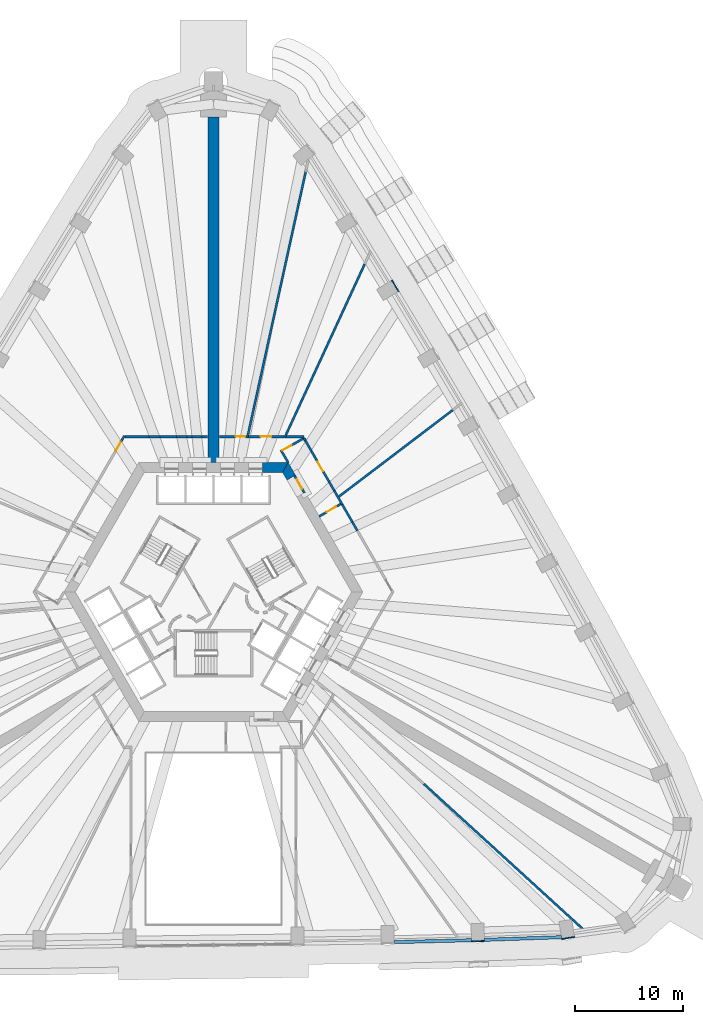
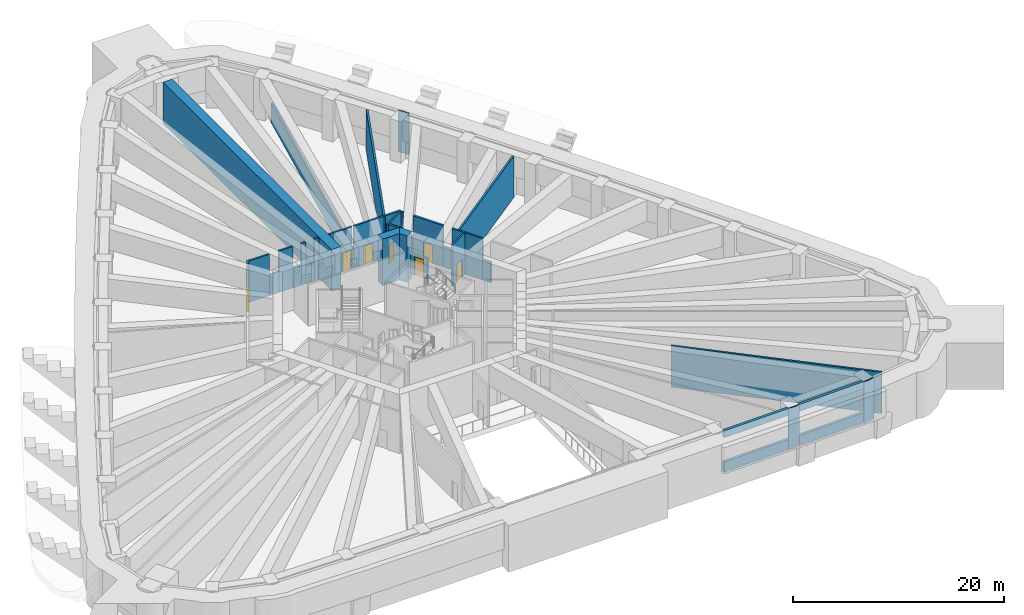
# One storey, part 9 of 21: 37 walls, 7 doors, 7 openings.
"""IFC4 building model written with IfcOpenShell, lengths in metres."""

from ifc_helpers import new_model, si_unit, direction, frame, frame_2d, origin, place, context, subcontext, project, spatial, polyline, rectangle, outline, extrude, material, layer, layer_set, type_object, element, fill, save


model = new_model("IFC4")

# Units and contexts
model_context = context("Model", 3, precision=1e-05, world=origin(), true_north=direction((0.0, 1.0)))
body_context = subcontext(model_context, "Body", "Model", "MODEL_VIEW")
ifc_project = project(units=[si_unit("LENGTHUNIT", "METRE"), si_unit("AREAUNIT", "SQUARE_METRE"), si_unit("VOLUMEUNIT", "CUBIC_METRE"), si_unit("PLANEANGLEUNIT", "RADIAN"), si_unit("MASSUNIT", "GRAM", prefix="KILO")], contexts=[model_context])

# Site, building, storey
site_placement = place(None, origin())
site = spatial("IfcSite", under=ifc_project, at=site_placement, CompositionType="ELEMENT")
building_placement = place(site_placement, origin())
building = spatial("IfcBuilding", under=site, at=building_placement, Name="Entoto Arch Interchange Tower", CompositionType="ELEMENT")
storey_placement = place(building_placement, frame((0.0, 0.0, 81.199951171875)))
storey = spatial("IfcBuildingStorey", under=building, at=storey_placement, Name="L17", CompositionType="ELEMENT", Elevation=81.199951171875)

# Wall, opening, door
ifc_material_1 = material(Name="Reinforced concrete C40/50", Category="concrete")
ifc_layer_1 = layer(ifc_material_1, 0.199951171875)
ifc_layer_set_1 = layer_set([ifc_layer_1], Name="Reinforced concrete C40/50")
wall_type_1 = type_object("IfcWallType", Name="CORE GAP INFILL WALL", PredefinedType="PARTITIONING", material=ifc_layer_set_1)
wall_1_placement = place(storey_placement, frame((8.430908203125, 11.697998046875, 0.0), z_axis=(0.0, 0.0, 1.0), x_axis=(-0.500115259676, 0.865958848352, 0.0)))
wall_1 = element("IfcWall", 1, at=wall_1_placement, inside=storey, type_object=wall_type_1, Name="wall:L17:gap2", PredefinedType="PARTITIONING", context=body_context, shape_type="SweptSolid", body=[
    extrude(rectangle(XDim=1.8291015625, YDim=0.199951171875, at=frame_2d((0.91455078125, 0.0))), origin(), (0.0, 0.0, 1.0), 2.400146484375),
])
opening_1_placement = place(wall_1_placement, frame((0.4150390625, 0.0, 0.0)))
opening_1 = element("IfcOpeningElement", 2, at=opening_1_placement, cuts=wall_1, Name="Opening L17-D92", PredefinedType="OPENING", context=body_context, shape_type="SweptSolid", body=[
    extrude(rectangle(XDim=1.0, YDim=2.10009765625, at=frame_2d((0.5, 1.050048828125))), frame((0.0, 0.10986328125, 0.0), z_axis=(0.0, -1.0, 0.0), x_axis=(1.0, 0.0, 0.0)), (0.0, 0.0, 1.0), 0.219970703125),
])
ifc_material_2 = material(Name="Fire-rated Steel S235 door and frame", Category="steel")
door_type_1 = type_object("IfcDoorType", Name="DOOR FD-10 1000x2100", OperationType="SINGLE_SWING_LEFT", PredefinedType="DOOR", material=ifc_material_2)
door_1_placement = place(opening_1_placement, origin())
door_1 = element("IfcDoor", 3, at=door_1_placement, inside=storey, type_object=door_type_1, Name="door:L17:gap2", OperationType="SINGLE_SWING_LEFT", OverallHeight=2.10009765625, OverallWidth=1.0, PredefinedType="DOOR", context=body_context, shape_type="SweptSolid", body=[
    extrude(rectangle(XDim=1.0, YDim=2.10009765625, at=frame_2d((0.5, 1.050048828125))), frame((0.0, 0.02490234375, 0.0), z_axis=(0.0, -1.0, 0.0), x_axis=(1.0, 0.0, 0.0)), (0.0, 0.0, 1.0), 0.050048828125),
])
fill(opening_1, door_1)

# Walls
ifc_material_3 = material(Name="Concrete C60/75", Category="concrete")
ifc_layer_2 = layer(ifc_material_3, 0.89990234375)
ifc_layer_set_2 = layer_set([ifc_layer_2], Name="Concrete C60/75")
wall_type_2 = type_object("IfcWallType", Name="Core wall 900 C60/75", PredefinedType="SHEAR", material=ifc_layer_set_2)
wall_2_placement = place(storey_placement, frame((0.0, 0.0, -0.599853515625)))
element("IfcWall", 4, at=wall_2_placement, inside=storey, type_object=wall_type_2, Name="Core wall NE L17", PredefinedType="SHEAR", context=body_context, shape_type="SweptSolid", body=[
    extrude(outline(polyline([(6.822998046875, 12.882080078125), (7.60205078125, 13.33203125), (6.927978515625, 14.5), (6.408935546875, 13.60009765625), (6.822998046875, 12.882080078125)])), origin(), (0.0, 0.0, 1.0), 5.39990234375),
])
wall_3_placement = place(storey_placement, frame((0.0, 0.0, -0.599853515625)))
element("IfcWall", 5, at=wall_3_placement, inside=storey, type_object=wall_type_2, Name="Core wall N L17", PredefinedType="SHEAR", context=body_context, shape_type="SweptSolid", body=[
    extrude(outline(polyline([(4.550048828125, 14.5), (4.550048828125, 13.60009765625), (6.408935546875, 13.60009765625), (6.927978515625, 14.5), (4.550048828125, 14.5)])), origin(), (0.0, 0.0, 1.0), 5.39990234375),
])
ifc_layer_3 = layer(ifc_material_3, 1.0)
ifc_layer_set_3 = layer_set([ifc_layer_3], Name="Concrete C60/75")
wall_type_3 = type_object("IfcWallType", Name="Outrigger wall 1000 C60/75", PredefinedType="SHEAR", material=ifc_layer_set_3)
wall_4_placement = place(storey_placement, frame((0.0, 14.5, 0.0), z_axis=(0.0, 0.0, 1.0), x_axis=(0.0, 1.0, 0.0)))
element("IfcWall", 6, at=wall_4_placement, inside=storey, type_object=wall_type_3, Name="Outrigger wall N L17", PredefinedType="SHEAR", context=body_context, shape_type="SweptSolid", body=[
    extrude(rectangle(XDim=32.052001953125, YDim=1.0, at=frame_2d((16.02587890625, 0.0))), origin(), (0.0, 0.0, 1.0), 4.800048828125),
])

# Wall, opening, door
ifc_material_4 = material(Name="Gypsum board partition on steel studs", Category="steel")
ifc_layer_4 = layer(ifc_material_4, 0.199951171875)
ifc_layer_set_4 = layer_set([ifc_layer_4], Name="Gypsum board partition on steel studs")
wall_type_4 = type_object("IfcWallType", Name="PARTITION 200", PredefinedType="PARTITIONING", material=ifc_layer_set_4)
wall_5_placement = place(storey_placement, frame((11.887939453125, 10.708984375, 0.0), z_axis=(0.0, 0.0, 1.0), x_axis=(-0.865973769406, -0.500089422704, 0.0)))
wall_5 = element("IfcWall", 7, at=wall_5_placement, inside=storey, type_object=wall_type_4, Name="wall:L17:p049", PredefinedType="PARTITIONING", context=body_context, shape_type="SweptSolid", body=[
    extrude(rectangle(XDim=2.3994140625, YDim=0.199951171875, at=frame_2d((1.19970703125, 0.0))), origin(), (0.0, 0.0, 1.0), 4.800048828125),
])
opening_2_placement = place(wall_5_placement, frame((0.60009765625, 0.0, 0.0)))
opening_2 = element("IfcOpeningElement", 8, at=opening_2_placement, cuts=wall_5, Name="Opening L17-D06", PredefinedType="OPENING", context=body_context, shape_type="SweptSolid", body=[
    extrude(rectangle(XDim=1.0, YDim=2.10009765625, at=frame_2d((0.5, 1.050048828125))), frame((0.0, 0.10986328125, 0.0), z_axis=(0.0, -1.0, 0.0), x_axis=(1.0, 0.0, 0.0)), (0.0, 0.0, 1.0), 0.219970703125),
])
door_2_placement = place(opening_2_placement, origin())
door_2 = element("IfcDoor", 9, at=door_2_placement, inside=storey, type_object=door_type_1, Name="door:L17:06", OperationType="SINGLE_SWING_RIGHT", OverallHeight=2.10009765625, OverallWidth=1.0, PredefinedType="DOOR", context=body_context, shape_type="SweptSolid", body=[
    extrude(rectangle(XDim=1.0, YDim=2.10009765625, at=frame_2d((0.5, 1.050048828125))), frame((0.0, 0.02490234375, 0.0), z_axis=(0.0, -1.0, 0.0), x_axis=(1.0, 0.0, 0.0)), (0.0, 0.0, 1.0), 0.050048828125),
])
fill(opening_2, door_2)

wall_6_placement = place(storey_placement, frame((6.222900390625, 15.52099609375, 0.0), z_axis=(0.0, 0.0, 1.0), x_axis=(0.866022959057, 0.500004234368, 0.0)))
wall_6 = element("IfcWall", 10, at=wall_6_placement, inside=storey, type_object=wall_type_4, Name="wall:L17:p050", PredefinedType="PARTITIONING", context=body_context, shape_type="SweptSolid", body=[
    extrude(rectangle(XDim=2.5, YDim=0.199951171875, at=frame_2d((1.25, 0.0))), origin(), (0.0, 0.0, 1.0), 4.800048828125),
])
opening_3_placement = place(wall_6_placement, frame((0.16796875, 0.0, 0.0)))
opening_3 = element("IfcOpeningElement", 11, at=opening_3_placement, cuts=wall_6, Name="Opening L17-D07", PredefinedType="OPENING", context=body_context, shape_type="SweptSolid", body=[
    extrude(rectangle(XDim=1.0, YDim=2.10009765625, at=frame_2d((0.5, 1.050048828125))), frame((0.0, 0.10986328125, 0.0), z_axis=(0.0, -1.0, 0.0), x_axis=(1.0, 0.0, 0.0)), (0.0, 0.0, 1.0), 0.219970703125),
])
door_3_placement = place(opening_3_placement, origin())
door_3 = element("IfcDoor", 12, at=door_3_placement, inside=storey, type_object=door_type_1, Name="door:L17:07", OperationType="SINGLE_SWING_LEFT", OverallHeight=2.10009765625, OverallWidth=1.0, PredefinedType="DOOR", context=body_context, shape_type="SweptSolid", body=[
    extrude(rectangle(XDim=1.0, YDim=2.10009765625, at=frame_2d((0.5, 1.050048828125))), frame((0.0, 0.02490234375, 0.0), z_axis=(0.0, -1.0, 0.0), x_axis=(1.0, 0.0, 0.0)), (0.0, 0.0, 1.0), 0.050048828125),
])
fill(opening_3, door_3)

# Walls
wall_7_placement = place(storey_placement, frame((6.360107421875, 15.48388671875, 0.0), z_axis=(0.0, 0.0, 1.0), x_axis=(0.499883687939, -0.866092546171, 0.0)))
element("IfcWall", 13, at=wall_7_placement, inside=storey, type_object=wall_type_4, Name="wall:L17:p051", PredefinedType="PARTITIONING", context=body_context, shape_type="SweptSolid", body=[
    extrude(rectangle(XDim=1.135986328125, YDim=0.199951171875, at=frame_2d((0.56787109375, 0.0))), origin(), (0.0, 0.0, 1.0), 4.800048828125),
])
wall_8_placement = place(storey_placement, frame((8.39794921875, 16.75390625, 0.0), z_axis=(0.0, 0.0, 1.0), x_axis=(0.499695194987, -0.866201311536, 0.0)))
element("IfcWall", 14, at=wall_8_placement, inside=storey, type_object=wall_type_4, Name="wall:L17:p052", PredefinedType="PARTITIONING", context=body_context, shape_type="SweptSolid", body=[
    extrude(rectangle(XDim=0.258544921875, YDim=0.199951171875, at=frame_2d((0.12939453125, 0.0))), origin(), (0.0, 0.0, 1.0), 4.800048828125),
])
wall_9_placement = place(storey_placement, frame((11.93798828125, 10.6220703125, 0.0), z_axis=(0.0, 0.0, 1.0), x_axis=(0.499811688139, -0.866134098394, 0.0)))
element("IfcWall", 15, at=wall_9_placement, inside=storey, type_object=wall_type_4, Name="wall:L17:p053", PredefinedType="PARTITIONING", context=body_context, shape_type="SweptSolid", body=[
    extrude(rectangle(XDim=1.894775390625, YDim=0.199951171875, at=frame_2d((0.947265625, 0.0))), origin(), (0.0, 0.0, 1.0), 4.800048828125),
])
wall_10_placement = place(storey_placement, frame((6.740966796875, 16.89990234375, 0.0), z_axis=(0.0, 0.0, 1.0), x_axis=(1.0, 0.0, 0.0)))
element("IfcWall", 16, at=wall_10_placement, inside=storey, type_object=wall_type_4, Name="wall:L17:p055", PredefinedType="PARTITIONING", context=body_context, shape_type="SweptSolid", body=[
    extrude(rectangle(XDim=1.673095703125, YDim=0.199951171875, at=frame_2d((0.83642578125, 0.0))), origin(), (0.0, 0.0, 1.0), 4.800048828125),
])

# Wall, opening, door
wall_11_placement = place(storey_placement, frame((3.260009765625, 16.89990234375, 0.0), z_axis=(0.0, 0.0, 1.0), x_axis=(1.0, 0.0, 0.0)))
wall_11 = element("IfcWall", 17, at=wall_11_placement, inside=storey, type_object=wall_type_4, Name="wall:L17:p056", PredefinedType="PARTITIONING", context=body_context, shape_type="SweptSolid", body=[
    extrude(rectangle(XDim=3.281005859375, YDim=0.199951171875, at=frame_2d((1.640625, 0.0))), origin(), (0.0, 0.0, 1.0), 4.800048828125),
])
opening_4_placement = place(wall_11_placement, frame((1.10302734375, 0.0, 0.0)))
opening_4 = element("IfcOpeningElement", 18, at=opening_4_placement, cuts=wall_11, Name="Opening L17-D10", PredefinedType="OPENING", context=body_context, shape_type="SweptSolid", body=[
    extrude(rectangle(XDim=1.0, YDim=2.10009765625, at=frame_2d((0.5, 1.050048828125))), frame((0.0, 0.10986328125, 0.0), z_axis=(0.0, -1.0, 0.0), x_axis=(1.0, 0.0, 0.0)), (0.0, 0.0, 1.0), 0.219970703125),
])
door_4_placement = place(opening_4_placement, origin())
door_4 = element("IfcDoor", 19, at=door_4_placement, inside=storey, type_object=door_type_1, Name="door:L17:10", OperationType="SINGLE_SWING_RIGHT", OverallHeight=2.10009765625, OverallWidth=1.0, PredefinedType="DOOR", context=body_context, shape_type="SweptSolid", body=[
    extrude(rectangle(XDim=1.0, YDim=2.10009765625, at=frame_2d((0.5, 1.050048828125))), frame((0.0, 0.02490234375, 0.0), z_axis=(0.0, -1.0, 0.0), x_axis=(1.0, 0.0, 0.0)), (0.0, 0.0, 1.0), 0.050048828125),
])
fill(opening_4, door_4)

wall_12_placement = place(storey_placement, frame((0.550048828125, 16.89990234375, 0.0), z_axis=(0.0, 0.0, 1.0), x_axis=(1.0, 0.0, 0.0)))
wall_12 = element("IfcWall", 20, at=wall_12_placement, inside=storey, type_object=wall_type_4, Name="wall:L17:p057", PredefinedType="PARTITIONING", context=body_context, shape_type="SweptSolid", body=[
    extrude(rectangle(XDim=2.510009765625, YDim=0.199951171875, at=frame_2d((1.2548828125, 0.0))), origin(), (0.0, 0.0, 1.0), 4.800048828125),
])
opening_5_placement = place(wall_12_placement, frame((1.5, 0.0, 0.0)))
opening_5 = element("IfcOpeningElement", 21, at=opening_5_placement, cuts=wall_12, Name="Opening L17-D11", PredefinedType="OPENING", context=body_context, shape_type="SweptSolid", body=[
    extrude(rectangle(XDim=0.89990234375, YDim=2.10009765625, at=frame_2d((0.449951171875, 1.050048828125))), frame((0.0, 0.10986328125, 0.0), z_axis=(0.0, -1.0, 0.0), x_axis=(1.0, 0.0, 0.0)), (0.0, 0.0, 1.0), 0.219970703125),
])
door_type_2 = type_object("IfcDoorType", Name="DOOR FD-09 900x2100", OperationType="SINGLE_SWING_LEFT", PredefinedType="DOOR", material=ifc_material_2)
door_5_placement = place(opening_5_placement, origin())
door_5 = element("IfcDoor", 22, at=door_5_placement, inside=storey, type_object=door_type_2, Name="door:L17:11", OperationType="SINGLE_SWING_LEFT", OverallHeight=2.10009765625, OverallWidth=0.89990234375, PredefinedType="DOOR", context=body_context, shape_type="SweptSolid", body=[
    extrude(rectangle(XDim=0.89990234375, YDim=2.10009765625, at=frame_2d((0.449951171875, 1.050048828125))), frame((0.0, 0.02490234375, 0.0), z_axis=(0.0, -1.0, 0.0), x_axis=(1.0, 0.0, 0.0)), (0.0, 0.0, 1.0), 0.050048828125),
])
fill(opening_5, door_5)

# Walls
wall_13_placement = place(storey_placement, frame((6.59912109375, 16.80908203125, 0.0), z_axis=(0.0, 0.0, 1.0), x_axis=(0.418762306906, 0.908095881675, 0.0)))
element("IfcWall", 23, at=wall_13_placement, inside=storey, type_object=wall_type_4, Name="wall:L17:p059", PredefinedType="PARTITIONING", context=body_context, shape_type="SweptSolid", body=[
    extrude(rectangle(XDim=17.740234375, YDim=0.199951171875, at=frame_2d((8.8701171875, 0.0))), origin(), (0.0, 0.0, 1.0), 4.800048828125),
])
wall_14_placement = place(storey_placement, frame((3.138916015625, 16.802001953125, 0.0), z_axis=(0.0, 0.0, 1.0), x_axis=(0.214360085787, 0.97675470494, 0.0)))
element("IfcWall", 24, at=wall_14_placement, inside=storey, type_object=wall_type_4, Name="wall:L17:p060", PredefinedType="PARTITIONING", context=body_context, shape_type="SweptSolid", body=[
    extrude(rectangle(XDim=25.2705078125, YDim=0.199951171875, at=frame_2d((12.63525390625, 0.0))), origin(), (0.0, 0.0, 1.0), 2.300048828125),
])
wall_15_placement = place(storey_placement, frame((-8.214111328125, 16.89990234375, 0.0), z_axis=(0.0, 0.0, 1.0), x_axis=(1.0, 0.0, 0.0)))
element("IfcWall", 25, at=wall_15_placement, inside=storey, type_object=wall_type_4, Name="wall:L17:p067", PredefinedType="PARTITIONING", context=body_context, shape_type="SweptSolid", body=[
    extrude(rectangle(XDim=2.22705078125, YDim=0.199951171875, at=frame_2d((1.113525390625, 0.0))), origin(), (0.0, 0.0, 1.0), 4.800048828125),
])
wall_16_placement = place(storey_placement, frame((19.51806640625, -15.30908203125, 0.0), z_axis=(0.0, 0.0, 1.0), x_axis=(0.738728109743, -0.674003545892, 0.0)))
element("IfcWall", 26, at=wall_16_placement, inside=storey, type_object=wall_type_4, Name="wall:L17:p046", PredefinedType="PARTITIONING", context=body_context, shape_type="SweptSolid", body=[
    extrude(rectangle(XDim=20.474365234375, YDim=0.199951171875, at=frame_2d((10.2373046875, 0.0))), origin(), (0.0, 0.0, 1.0), 4.800048828125),
])
wall_17_placement = place(storey_placement, frame((8.527099609375, 16.530029296875, 0.0), z_axis=(0.0, 0.0, 1.0), x_axis=(0.499893495202, -0.866086885627, 0.0)))
element("IfcWall", 27, at=wall_17_placement, inside=storey, type_object=wall_type_4, Name="wall:L17:p052", PredefinedType="PARTITIONING", context=body_context, shape_type="SweptSolid", body=[
    extrude(rectangle(XDim=1.112060546875, YDim=0.199951171875, at=frame_2d((0.55615234375, 0.0))), origin(), (0.0, 0.0, 1.0), 2.400146484375),
])

# Wall, opening, door
wall_18_placement = place(storey_placement, frame((9.0830078125, 15.56689453125, 0.0), z_axis=(0.0, 0.0, 1.0), x_axis=(0.499981217486, -0.866036247602, 0.0)))
wall_18 = element("IfcWall", 28, at=wall_18_placement, inside=storey, type_object=wall_type_4, Name="wall:L17:p052", PredefinedType="PARTITIONING", context=body_context, shape_type="SweptSolid", body=[
    extrude(rectangle(XDim=3.294189453125, YDim=0.199951171875, at=frame_2d((1.64697265625, 0.0))), origin(), (0.0, 0.0, 1.0), 4.800048828125),
])
opening_6_placement = place(wall_18_placement, frame((1.1650390625, 0.0, 0.0)))
opening_6 = element("IfcOpeningElement", 29, at=opening_6_placement, cuts=wall_18, Name="Opening L17-D08", PredefinedType="OPENING", context=body_context, shape_type="SweptSolid", body=[
    extrude(rectangle(XDim=1.0, YDim=2.10009765625, at=frame_2d((0.5, 1.050048828125))), frame((0.0, 0.10986328125, 0.0), z_axis=(0.0, -1.0, 0.0), x_axis=(1.0, 0.0, 0.0)), (0.0, 0.0, 1.0), 0.219970703125),
])
door_6_placement = place(opening_6_placement, origin())
door_6 = element("IfcDoor", 30, at=door_6_placement, inside=storey, type_object=door_type_1, Name="door:L17:08", OperationType="SINGLE_SWING_RIGHT", OverallHeight=2.10009765625, OverallWidth=1.0, PredefinedType="DOOR", context=body_context, shape_type="SweptSolid", body=[
    extrude(rectangle(XDim=1.0, YDim=2.10009765625, at=frame_2d((0.5, 1.050048828125))), frame((0.0, 0.02490234375, 0.0), z_axis=(0.0, -1.0, 0.0), x_axis=(1.0, 0.0, 0.0)), (0.0, 0.0, 1.0), 0.050048828125),
])
fill(opening_6, door_6)

# Walls
wall_19_placement = place(storey_placement, frame((10.72998046875, 12.714111328125, 0.0), z_axis=(0.0, 0.0, 1.0), x_axis=(0.500455348268, -0.865762348679, 0.0)))
element("IfcWall", 31, at=wall_19_placement, inside=storey, type_object=wall_type_4, Name="wall:L17:p052", PredefinedType="PARTITIONING", context=body_context, shape_type="SweptSolid", body=[
    extrude(rectangle(XDim=0.9609375, YDim=0.199951171875, at=frame_2d((0.48046875, 0.0))), origin(), (0.0, 0.0, 1.0), 2.400146484375),
])
wall_20_placement = place(storey_placement, frame((11.2109375, 11.882080078125, 0.0), z_axis=(0.0, 0.0, 1.0), x_axis=(0.49978541015, -0.866149261849, 0.0)))
element("IfcWall", 32, at=wall_20_placement, inside=storey, type_object=wall_type_4, Name="wall:L17:p052", PredefinedType="PARTITIONING", context=body_context, shape_type="SweptSolid", body=[
    extrude(rectangle(XDim=1.454833984375, YDim=0.199951171875, at=frame_2d((0.7275390625, 0.0))), origin(), (0.0, 0.0, 1.0), 4.800048828125),
])
wall_21_placement = place(storey_placement, frame((12.885009765625, 8.98095703125, 0.0), z_axis=(0.0, 0.0, 1.0), x_axis=(0.500242282693, -0.865885476611, 0.0)))
element("IfcWall", 33, at=wall_21_placement, inside=storey, type_object=wall_type_4, Name="wall:L17:p053", PredefinedType="PARTITIONING", context=body_context, shape_type="SweptSolid", body=[
    extrude(rectangle(XDim=0.92138671875, YDim=0.199951171875, at=frame_2d((0.460693359375, 0.0))), origin(), (0.0, 0.0, 1.0), 2.400146484375),
])
wall_22_placement = place(storey_placement, frame((22.197998046875, 19.375, 0.0), z_axis=(0.0, 0.0, 1.0), x_axis=(-0.796086524029, -0.605182820526, 0.0)))
element("IfcWall", 34, at=wall_22_placement, inside=storey, type_object=wall_type_4, Name="wall:L17:p058", PredefinedType="PARTITIONING", context=body_context, shape_type="SweptSolid", body=[
    extrude(rectangle(XDim=13.367919921875, YDim=0.199951171875, at=frame_2d((6.68408203125, 0.0))), origin(), (0.0, 0.0, 1.0), 4.800048828125),
])

# Wall, opening, door
wall_23_placement = place(storey_placement, frame((-9.0830078125, 15.568115234375, 0.0), z_axis=(0.0, 0.0, 1.0), x_axis=(0.499988560547, 0.866032008255, 0.0)))
wall_23 = element("IfcWall", 35, at=wall_23_placement, inside=storey, type_object=wall_type_4, Name="wall:L17:p066", PredefinedType="PARTITIONING", context=body_context, shape_type="SweptSolid", body=[
    extrude(rectangle(XDim=1.11181640625, YDim=0.199951171875, at=frame_2d((0.555908203125, 0.0))), origin(), (0.0, 0.0, 1.0), 2.400146484375),
])
opening_7_placement = place(wall_23_placement, frame((0.02197265625, 0.0, 0.0)))
opening_7 = element("IfcOpeningElement", 36, at=opening_7_placement, cuts=wall_23, Name="Opening L17-D15", PredefinedType="OPENING", context=body_context, shape_type="SweptSolid", body=[
    extrude(rectangle(XDim=1.0, YDim=2.10009765625, at=frame_2d((0.5, 1.050048828125))), frame((0.0, 0.10986328125, 0.0), z_axis=(0.0, -1.0, 0.0), x_axis=(1.0, 0.0, 0.0)), (0.0, 0.0, 1.0), 0.219970703125),
])
door_7_placement = place(opening_7_placement, origin())
door_7 = element("IfcDoor", 37, at=door_7_placement, inside=storey, type_object=door_type_1, Name="door:L17:15", OperationType="SINGLE_SWING_LEFT", OverallHeight=2.10009765625, OverallWidth=1.0, PredefinedType="DOOR", context=body_context, shape_type="SweptSolid", body=[
    extrude(rectangle(XDim=1.0, YDim=2.10009765625, at=frame_2d((0.5, 1.050048828125))), frame((0.0, 0.02490234375, 0.0), z_axis=(0.0, -1.0, 0.0), x_axis=(1.0, 0.0, 0.0)), (0.0, 0.0, 1.0), 0.050048828125),
])
fill(opening_7, door_7)

# Walls
wall_24_placement = place(storey_placement, frame((-8.527099609375, 16.531005859375, 0.0), z_axis=(0.0, 0.0, 1.0), x_axis=(0.499829488579, 0.86612382622, 0.0)))
element("IfcWall", 38, at=wall_24_placement, inside=storey, type_object=wall_type_4, Name="wall:L17:p066", PredefinedType="PARTITIONING", context=body_context, shape_type="SweptSolid", body=[
    extrude(rectangle(XDim=0.526611328125, YDim=0.199951171875, at=frame_2d((0.26318359375, 0.0))), origin(), (0.0, 0.0, 1.0), 4.800048828125),
])
wall_25_placement = place(storey_placement, frame((-5.987060546875, 16.89990234375, 0.0), z_axis=(0.0, 0.0, 1.0), x_axis=(1.0, 0.0, 0.0)))
element("IfcWall", 39, at=wall_25_placement, inside=storey, type_object=wall_type_4, Name="wall:L17:p067", PredefinedType="PARTITIONING", context=body_context, shape_type="SweptSolid", body=[
    extrude(rectangle(XDim=1.0390625, YDim=0.199951171875, at=frame_2d((0.51953125, 0.0))), origin(), (0.0, 0.0, 1.0), 2.400146484375),
])
wall_26_placement = place(storey_placement, frame((-4.947998046875, 16.89990234375, 0.0), z_axis=(0.0, 0.0, 1.0), x_axis=(1.0, 0.0, 0.0)))
element("IfcWall", 40, at=wall_26_placement, inside=storey, type_object=wall_type_4, Name="wall:L17:p067", PredefinedType="PARTITIONING", context=body_context, shape_type="SweptSolid", body=[
    extrude(rectangle(XDim=1.514892578125, YDim=0.199951171875, at=frame_2d((0.75732421875, 0.0))), origin(), (0.0, 0.0, 1.0), 4.800048828125),
])
wall_27_placement = place(storey_placement, frame((-3.43310546875, 16.89990234375, 0.0), z_axis=(0.0, 0.0, 1.0), x_axis=(1.0, 0.0, 0.0)))
element("IfcWall", 41, at=wall_27_placement, inside=storey, type_object=wall_type_4, Name="wall:L17:p067", PredefinedType="PARTITIONING", context=body_context, shape_type="SweptSolid", body=[
    extrude(rectangle(XDim=0.960205078125, YDim=0.199951171875, at=frame_2d((0.47998046875, 0.0))), origin(), (0.0, 0.0, 1.0), 2.300048828125),
])
wall_28_placement = place(storey_placement, frame((-2.472900390625, 16.89990234375, 0.0), z_axis=(0.0, 0.0, 1.0), x_axis=(1.0, 0.0, 0.0)))
element("IfcWall", 42, at=wall_28_placement, inside=storey, type_object=wall_type_4, Name="wall:L17:p067", PredefinedType="PARTITIONING", context=body_context, shape_type="SweptSolid", body=[
    extrude(rectangle(XDim=0.470947265625, YDim=0.199951171875, at=frame_2d((0.2353515625, 0.0))), origin(), (0.0, 0.0, 1.0), 4.800048828125),
])
wall_29_placement = place(storey_placement, frame((-2.001953125, 16.89990234375, 0.0), z_axis=(0.0, 0.0, 1.0), x_axis=(1.0, 0.0, 0.0)))
element("IfcWall", 43, at=wall_29_placement, inside=storey, type_object=wall_type_4, Name="wall:L17:p067", PredefinedType="PARTITIONING", context=body_context, shape_type="SweptSolid", body=[
    extrude(rectangle(XDim=0.927001953125, YDim=0.199951171875, at=frame_2d((0.46337890625, 0.0))), origin(), (0.0, 0.0, 1.0), 2.0),
])
wall_30_placement = place(storey_placement, frame((-1.074951171875, 16.89990234375, 0.0), z_axis=(0.0, 0.0, 1.0), x_axis=(1.0, 0.0, 0.0)))
element("IfcWall", 44, at=wall_30_placement, inside=storey, type_object=wall_type_4, Name="wall:L17:p067", PredefinedType="PARTITIONING", context=body_context, shape_type="SweptSolid", body=[
    extrude(rectangle(XDim=0.52490234375, YDim=0.199951171875, at=frame_2d((0.262451171875, 0.0))), origin(), (0.0, 0.0, 1.0), 4.800048828125),
])
ifc_material_5 = material(Name="Board-marked precast concrete C50/60", Category="concrete")
ifc_layer_5 = layer(ifc_material_5, 0.10009765625)
ifc_layer_set_5 = layer_set([ifc_layer_5], Name="Board-marked precast concrete C50/60")
wall_type_5 = type_object("IfcWallType", Name="PRECAST FRAME WALL 100", PredefinedType="STANDARD", material=ifc_layer_set_5)
wall_31_placement = place(storey_placement, frame((17.16796875, 30.387939453125, 0.0), z_axis=(0.0, 0.0, 1.0), x_axis=(-0.521507599072, 0.853246637327, 0.0)))
element("IfcWall", 45, at=wall_31_placement, inside=storey, type_object=wall_type_5, Name="Frame pier NE08 L17", PredefinedType="STANDARD", context=body_context, shape_type="SweptSolid", body=[
    extrude(rectangle(XDim=1.200439453125, YDim=0.10009765625, at=frame_2d((0.60009765625, 0.0))), origin(), (0.0, 0.0, 1.0), 4.800048828125),
])
for number, where, z_axis, x_axis, name in (
    (46, (23.93896484375, -29.906982421875, 0.0), (0.0, 0.0, 1.0), (0.999442872267, 0.03337581573, 0.0), "Frame pier S07 L17"),
    (47, (32.31103515625, -29.697998046875, 0.0), (0.0, 0.0, 1.0), (0.986011774526, 0.166675674579, 0.0), "Frame pier S08 L17"),
):
    element("IfcWall", number, at=place(storey_placement, frame(where, z_axis=z_axis, x_axis=x_axis)), inside=storey, type_object=wall_type_5, Name=name, PredefinedType="STANDARD", context=body_context, shape_type="SweptSolid", body=[
        extrude(rectangle(XDim=1.19970703125, YDim=0.10009765625, at=frame_2d((0.599853515625, 0.0))), origin(), (0.0, 0.0, 1.0), 4.800048828125),
    ])
ifc_layer_6 = layer(ifc_material_5, 0.300048828125)
ifc_layer_set_6 = layer_set([ifc_layer_6], Name="Board-marked precast concrete C50/60")
wall_type_6 = type_object("IfcWallType", Name="PRECAST FRAME WALL 300", PredefinedType="STANDARD", material=ifc_layer_set_6)
wall_32_placement = place(storey_placement, frame((16.764892578125, -29.97802734375, 0.0), z_axis=(0.0, 0.0, 1.0), x_axis=(0.999698874369, 0.024538960556, 0.0)))
element("IfcWall", 48, at=wall_32_placement, inside=storey, type_object=wall_type_6, Name="Frame sill wall S-06 L17", PredefinedType="STANDARD", context=body_context, shape_type="SweptSolid", body=[
    extrude(rectangle(XDim=7.17333984375, YDim=0.300048828125, at=frame_2d((3.586669921875, 0.0))), origin(), (0.0, 0.0, 1.0), 1.199951171875),
])
wall_33_placement = place(storey_placement, frame((16.764892578125, -29.97802734375, 4.0), z_axis=(0.0, 0.0, 1.0), x_axis=(0.999698874369, 0.024538960556, 0.0)))
element("IfcWall", 49, at=wall_33_placement, inside=storey, type_object=wall_type_6, Name="Frame head wall S-06 L17", PredefinedType="STANDARD", context=body_context, shape_type="SweptSolid", body=[
    extrude(rectangle(XDim=7.17333984375, YDim=0.300048828125, at=frame_2d((3.586669921875, 0.0))), origin(), (0.0, 0.0, 1.0), 0.800048828125),
])
wall_34_placement = place(storey_placement, frame((25.134033203125, -29.76611328125, 0.0), z_axis=(0.0, 0.0, 1.0), x_axis=(0.999403158142, 0.034544572581, 0.0)))
element("IfcWall", 50, at=wall_34_placement, inside=storey, type_object=wall_type_6, Name="Frame sill wall S-07 L17", PredefinedType="STANDARD", context=body_context, shape_type="SweptSolid", body=[
    extrude(rectangle(XDim=7.152099609375, YDim=0.300048828125, at=frame_2d((3.576171875, 0.0))), origin(), (0.0, 0.0, 1.0), 1.199951171875),
])
wall_35_placement = place(storey_placement, frame((25.134033203125, -29.76611328125, 4.0), z_axis=(0.0, 0.0, 1.0), x_axis=(0.999403158142, 0.034544572581, 0.0)))
element("IfcWall", 51, at=wall_35_placement, inside=storey, type_object=wall_type_6, Name="Frame head wall S-07 L17", PredefinedType="STANDARD", context=body_context, shape_type="SweptSolid", body=[
    extrude(rectangle(XDim=7.152099609375, YDim=0.300048828125, at=frame_2d((3.576171875, 0.0))), origin(), (0.0, 0.0, 1.0), 0.800048828125),
])

save(model, "model.ifc")
